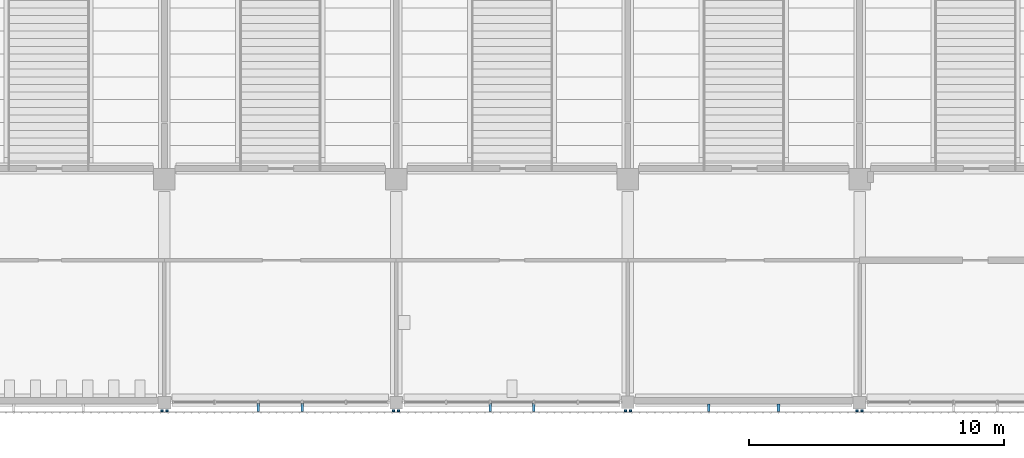
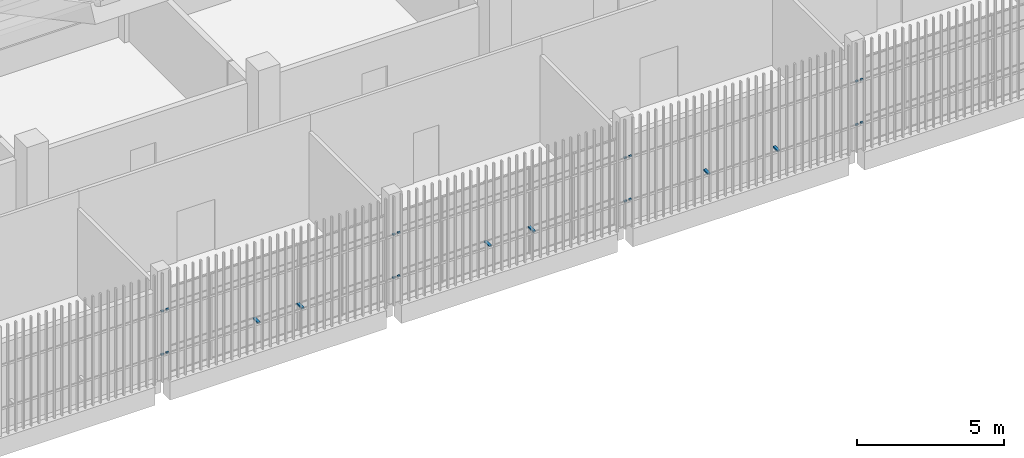
# One storey, part 101 of 139: 22 discrete accessories.
"""IFC4 building model written with IfcOpenShell, lengths in metres."""

from ifc_helpers import new_model, si_unit, direction, frame, origin, origin_2d, place, context, subcontext, project, spatial, rectangle, extrude, material, type_object, element, save


model = new_model("IFC4")

# Units and contexts
model_context = context("Model", 3, precision=1e-05, world=origin(), true_north=direction((0.0, 1.0)))
body_context = subcontext(model_context, "Body", "Model", "MODEL_VIEW")
ifc_project = project(units=[si_unit("LENGTHUNIT", "METRE"), si_unit("AREAUNIT", "SQUARE_METRE"), si_unit("VOLUMEUNIT", "CUBIC_METRE"), si_unit("PLANEANGLEUNIT", "RADIAN"), si_unit("MASSUNIT", "GRAM", prefix="KILO")], contexts=[model_context])

# Site, building, storey
site_placement = place(None, origin())
site = spatial("IfcSite", under=ifc_project, at=site_placement, CompositionType="ELEMENT")
building_placement = place(site_placement, origin())
building = spatial("IfcBuilding", under=site, at=building_placement, Name="Shirokan Park Arena", CompositionType="ELEMENT")
storey_placement = place(building_placement, frame((0.0, 0.0, 15.469970703125)))
storey = spatial("IfcBuildingStorey", under=building, at=storey_placement, Name="L03", CompositionType="ELEMENT", Elevation=15.469970703125)

# Discrete accessories
ifc_material = material(Name="Steel S355", Category="steel")
discrete_accessory_type = type_object("IfcDiscreteAccessoryType", Name="Veil bracket 100x60", PredefinedType="BRACKET", material=ifc_material)
for number, where, z_axis, x_axis, name in (
    (1, (63.60009765625, -0.409912109375, 1.070068359375), (0.0, 0.0, 1.0), (1.0, 0.0, 0.0), "Veil bracket south bay 7 L03 2"),
    (2, (63.60009765625, -0.409912109375, 2.8701171875), (0.0, 0.0, 1.0), (1.0, 0.0, 0.0), "Veil bracket south bay 7 L03 4"),
    (3, (63.800048828125, -0.409912109375, 1.070068359375), (0.0, 0.0, 1.0), (1.0, 0.0, 0.0), "Veil bracket south bay 8 L03 1"),
    (4, (72.699951171875, -0.409912109375, 1.070068359375), (0.0, 0.0, 1.0), (1.0, 0.0, 0.0), "Veil bracket south bay 8 L03 2"),
    (5, (63.800048828125, -0.409912109375, 2.8701171875), (0.0, 0.0, 1.0), (1.0, 0.0, 0.0), "Veil bracket south bay 8 L03 3"),
    (6, (72.699951171875, -0.409912109375, 2.8701171875), (0.0, 0.0, 1.0), (1.0, 0.0, 0.0), "Veil bracket south bay 8 L03 4"),
):
    element("IfcDiscreteAccessory", number, at=place(storey_placement, frame(where, z_axis=z_axis, x_axis=x_axis)), inside=storey, type_object=discrete_accessory_type, Name=name, PredefinedType="BRACKET", context=body_context, shape_type="SweptSolid", body=[
        extrude(rectangle(XDim=0.10009765625, YDim=0.070068359375, at=origin_2d()), origin(), (0.0, 0.0, 1.0), 0.06005859375),
    ])
for number, where, z_axis, x_axis, name in (
    (7, (67.389892578125, -0.2724609375, 1.070068359375), (0.0, 0.0, 1.0), (1.0, 0.0, 0.0), "Veil bracket south bay 8 L03 wall 1"),
    (8, (69.110107421875, -0.2724609375, 1.070068359375), (0.0, 0.0, 1.0), (1.0, 0.0, 0.0), "Veil bracket south bay 8 L03 wall 2"),
):
    element("IfcDiscreteAccessory", number, at=place(storey_placement, frame(where, z_axis=z_axis, x_axis=x_axis)), inside=storey, type_object=discrete_accessory_type, Name=name, PredefinedType="BRACKET", context=body_context, shape_type="SweptSolid", body=[
        extrude(rectangle(XDim=0.10009765625, YDim=0.344970703125, at=origin_2d()), origin(), (0.0, 0.0, 1.0), 0.06005859375),
    ])
for number, where, z_axis, x_axis, name in (
    (9, (72.89990234375, -0.409912109375, 1.070068359375), (0.0, 0.0, 1.0), (1.0, 0.0, 0.0), "Veil bracket south bay 9 L03 1"),
    (10, (81.800048828125, -0.409912109375, 1.070068359375), (0.0, 0.0, 1.0), (1.0, 0.0, 0.0), "Veil bracket south bay 9 L03 2"),
    (11, (72.89990234375, -0.409912109375, 2.8701171875), (0.0, 0.0, 1.0), (1.0, 0.0, 0.0), "Veil bracket south bay 9 L03 3"),
    (12, (81.800048828125, -0.409912109375, 2.8701171875), (0.0, 0.0, 1.0), (1.0, 0.0, 0.0), "Veil bracket south bay 9 L03 4"),
):
    element("IfcDiscreteAccessory", number, at=place(storey_placement, frame(where, z_axis=z_axis, x_axis=x_axis)), inside=storey, type_object=discrete_accessory_type, Name=name, PredefinedType="BRACKET", context=body_context, shape_type="SweptSolid", body=[
        extrude(rectangle(XDim=0.10009765625, YDim=0.070068359375, at=origin_2d()), origin(), (0.0, 0.0, 1.0), 0.06005859375),
    ])
for number, where, z_axis, x_axis, name in (
    (13, (76.489990234375, -0.2724609375, 1.070068359375), (0.0, 0.0, 1.0), (1.0, 0.0, 0.0), "Veil bracket south bay 9 L03 wall 1"),
    (14, (78.2099609375, -0.2724609375, 1.070068359375), (0.0, 0.0, 1.0), (1.0, 0.0, 0.0), "Veil bracket south bay 9 L03 wall 2"),
):
    element("IfcDiscreteAccessory", number, at=place(storey_placement, frame(where, z_axis=z_axis, x_axis=x_axis)), inside=storey, type_object=discrete_accessory_type, Name=name, PredefinedType="BRACKET", context=body_context, shape_type="SweptSolid", body=[
        extrude(rectangle(XDim=0.10009765625, YDim=0.344970703125, at=origin_2d()), origin(), (0.0, 0.0, 1.0), 0.06005859375),
    ])
for number, where, z_axis, x_axis, name in (
    (15, (82.0, -0.409912109375, 1.070068359375), (0.0, 0.0, 1.0), (1.0, 0.0, 0.0), "Veil bracket south bay 10 L03 1"),
    (16, (90.89990234375, -0.409912109375, 1.070068359375), (0.0, 0.0, 1.0), (1.0, 0.0, 0.0), "Veil bracket south bay 10 L03 2"),
    (17, (82.0, -0.409912109375, 2.8701171875), (0.0, 0.0, 1.0), (1.0, 0.0, 0.0), "Veil bracket south bay 10 L03 3"),
    (18, (90.89990234375, -0.409912109375, 2.8701171875), (0.0, 0.0, 1.0), (1.0, 0.0, 0.0), "Veil bracket south bay 10 L03 4"),
):
    element("IfcDiscreteAccessory", number, at=place(storey_placement, frame(where, z_axis=z_axis, x_axis=x_axis)), inside=storey, type_object=discrete_accessory_type, Name=name, PredefinedType="BRACKET", context=body_context, shape_type="SweptSolid", body=[
        extrude(rectangle(XDim=0.10009765625, YDim=0.070068359375, at=origin_2d()), origin(), (0.0, 0.0, 1.0), 0.06005859375),
    ])
for number, where, z_axis, x_axis, name in (
    (19, (85.0849609375, -0.297607421875, 1.070068359375), (0.0, 0.0, 1.0), (1.0, 0.0, 0.0), "Veil bracket south bay 10 L03 wall 1"),
    (20, (87.81494140625, -0.297607421875, 1.070068359375), (0.0, 0.0, 1.0), (1.0, 0.0, 0.0), "Veil bracket south bay 10 L03 wall 2"),
):
    element("IfcDiscreteAccessory", number, at=place(storey_placement, frame(where, z_axis=z_axis, x_axis=x_axis)), inside=storey, type_object=discrete_accessory_type, Name=name, PredefinedType="BRACKET", context=body_context, shape_type="SweptSolid", body=[
        extrude(rectangle(XDim=0.10009765625, YDim=0.294921875, at=origin_2d()), origin(), (0.0, 0.0, 1.0), 0.06005859375),
    ])
for number, where, z_axis, x_axis, name in (
    (21, (91.10009765625, -0.409912109375, 1.070068359375), (0.0, 0.0, 1.0), (1.0, 0.0, 0.0), "Veil bracket south bay 11 L03 1"),
    (22, (91.10009765625, -0.409912109375, 2.8701171875), (0.0, 0.0, 1.0), (1.0, 0.0, 0.0), "Veil bracket south bay 11 L03 3"),
):
    element("IfcDiscreteAccessory", number, at=place(storey_placement, frame(where, z_axis=z_axis, x_axis=x_axis)), inside=storey, type_object=discrete_accessory_type, Name=name, PredefinedType="BRACKET", context=body_context, shape_type="SweptSolid", body=[
        extrude(rectangle(XDim=0.10009765625, YDim=0.070068359375, at=origin_2d()), origin(), (0.0, 0.0, 1.0), 0.06005859375),
    ])

save(model, "model.ifc")
